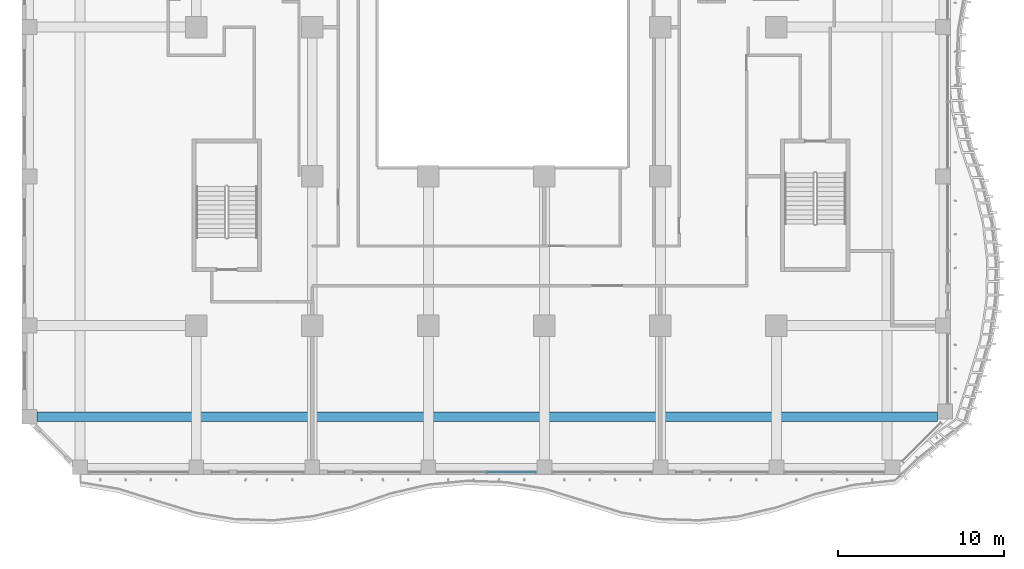
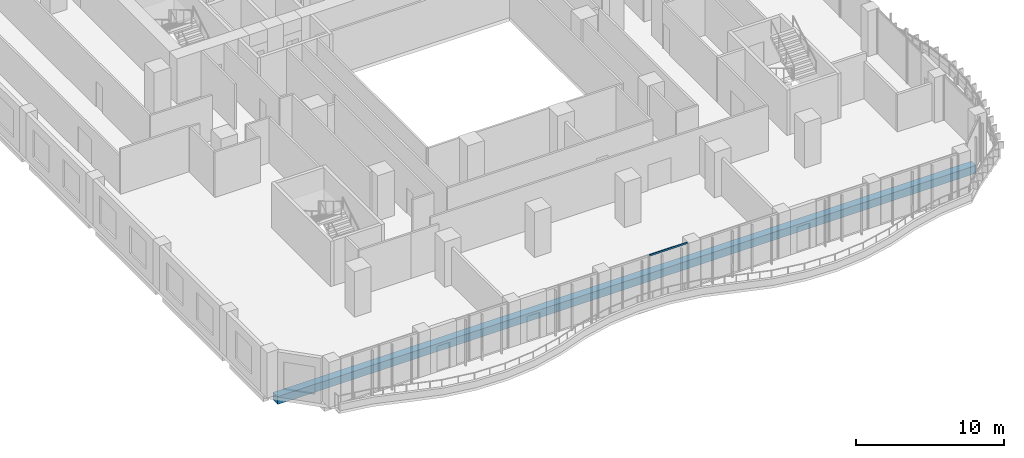
# One storey, part 3 of 27: 1 beam, 1 member, 1 element without a shape of its own.
"""IFC4 building model written with IfcOpenShell, lengths in metres."""

from ifc_helpers import new_model, si_unit, direction, frame, origin, origin_2d, place, context, subcontext, project, spatial, rectangle, extrude, source, transform, mapped, material, material_profile, profile_set, type_object, element, aggregate, save


model = new_model("IFC4")

# Units and contexts
model_context = context("Model", 3, precision=1e-05, world=origin(), true_north=direction((0.0, 1.0)))
body_context = subcontext(model_context, "Body", "Model", "MODEL_VIEW")
ifc_project = project(units=[si_unit("LENGTHUNIT", "METRE"), si_unit("AREAUNIT", "SQUARE_METRE"), si_unit("VOLUMEUNIT", "CUBIC_METRE"), si_unit("PLANEANGLEUNIT", "RADIAN"), si_unit("MASSUNIT", "GRAM", prefix="KILO")], contexts=[model_context])

# Site, building, storey
site_placement = place(None, origin())
site = spatial("IfcSite", under=ifc_project, at=site_placement, CompositionType="ELEMENT")
building_placement = place(site_placement, origin())
building = spatial("IfcBuilding", under=site, at=building_placement, Name="Kilnfold Tower and Market Hall", CompositionType="ELEMENT")
storey_placement = place(building_placement, frame((0.0, 0.0, 43.0)))
storey = spatial("IfcBuildingStorey", under=building, at=storey_placement, Name="L09", CompositionType="ELEMENT", Elevation=43.0)

# Beam
ifc_material_1 = material(Name="Concrete C45", Category="concrete")
ifc_material_profile_1 = material_profile(ifc_material_1, rectangle(XDim=0.60009765625, YDim=0.64990234375, at=origin_2d()), Name="RC 600x650")
ifc_profile_set_1 = profile_set([ifc_material_profile_1], Name="Concrete C45")
beam_type = type_object("IfcBeamType", Name="BEAM 600X650 C45", PredefinedType="BEAM", material=ifc_profile_set_1)
shared_shape_1 = source(origin(), body_context, "Body", "SweptSolid", [
    extrude(rectangle(XDim=0.60009765625, YDim=0.64990234375, at=origin_2d()), origin(), (0.0, 0.0, 1.0), 54.331787109375),
])
beam_placement = place(storey_placement, frame((-27.10009765625, -24.5, -0.60498046875), z_axis=(1.0, 0.0, 0.0), x_axis=(0.0, 1.0, 0.0)))
element("IfcBeam", 1, at=beam_placement, inside=storey, type_object=beam_type, Name="Beam BB650-B1.55", PredefinedType="BEAM", context=body_context, shape_type="MappedRepresentation", body=[
    mapped(shared_shape_1, transform((0.0, 0.0, 0.0))),
])

# Curtain wall, member
ifc_material_2 = material(Name="Aluminium and double glazing", Category="aluminium")
curtain_wall_type = type_object("IfcCurtainWallType", Name="CW OF1 VALLEY GLAZING", PredefinedType="NOTDEFINED", material=ifc_material_2)
curtain_wall_placement = place(storey_placement, origin())
curtain_wall = element("IfcCurtainWall", 2, at=curtain_wall_placement, inside=storey, type_object=curtain_wall_type, Name="Curtain wall CW1 L09 S", PredefinedType="NOTDEFINED")
ifc_material_3 = material(Name="Aluminium", Category="aluminium")
ifc_material_profile_2 = material_profile(ifc_material_3, rectangle(XDim=0.06005859375, YDim=0.139892578125, at=origin_2d()), Name="TRANSOM 60x140")
ifc_profile_set_2 = profile_set([ifc_material_profile_2], Name="Aluminium")
member_type = type_object("IfcMemberType", Name="TRANSOM 60X140", PredefinedType="USERDEFINED", material=ifc_profile_set_2)
shared_shape_2 = source(origin(), body_context, "Body", "SweptSolid", [
    extrude(rectangle(XDim=0.06005859375, YDim=0.139892578125, at=origin_2d()), origin(), (0.0, 0.0, 1.0), 2.929931640625),
])
member_placement = place(storey_placement, frame((0.06005859375, -27.85009765625, 3.68994140625), z_axis=(1.0, 0.0, 0.0), x_axis=(0.0, 1.0, 0.0)))
member = element("IfcMember", 3, at=member_placement, type_object=member_type, Name="CW1 transom 1.2", ObjectType="TRANSOM", PredefinedType="USERDEFINED", context=body_context, shape_type="MappedRepresentation", body=[
    mapped(shared_shape_2, transform((0.0, 0.0, 0.0))),
])
aggregate(curtain_wall, [member])

save(model, "model.ifc")
